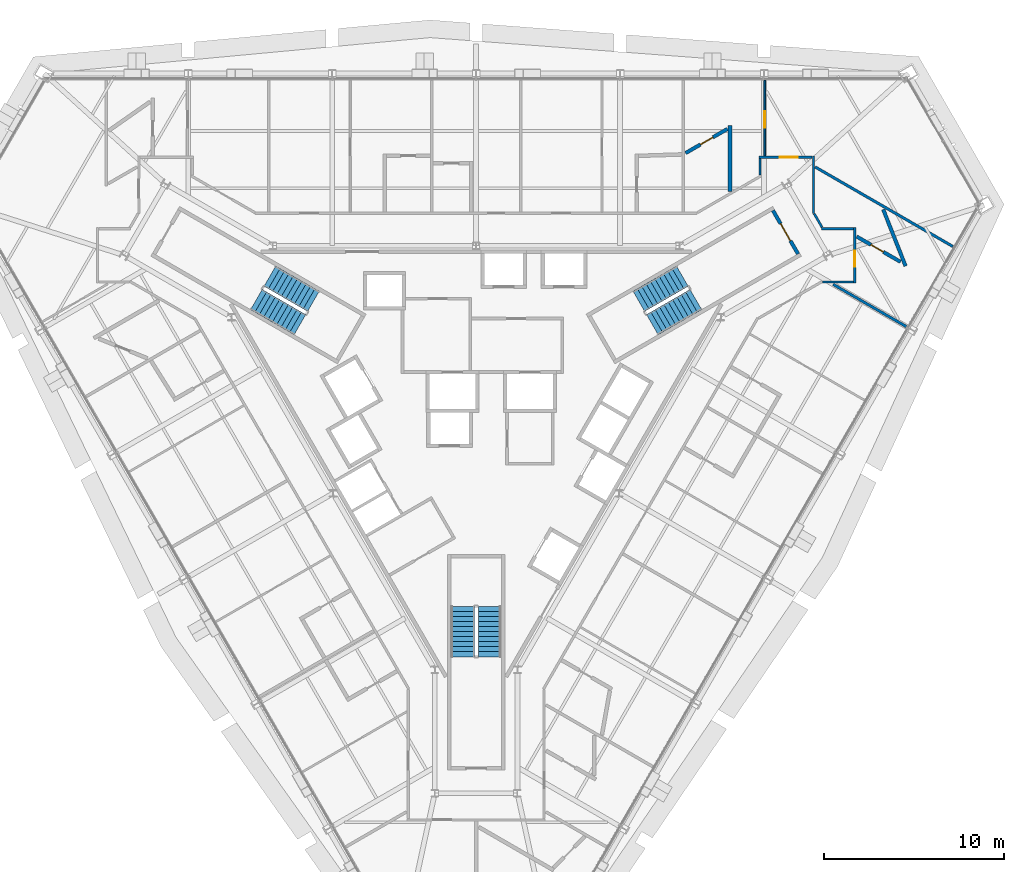
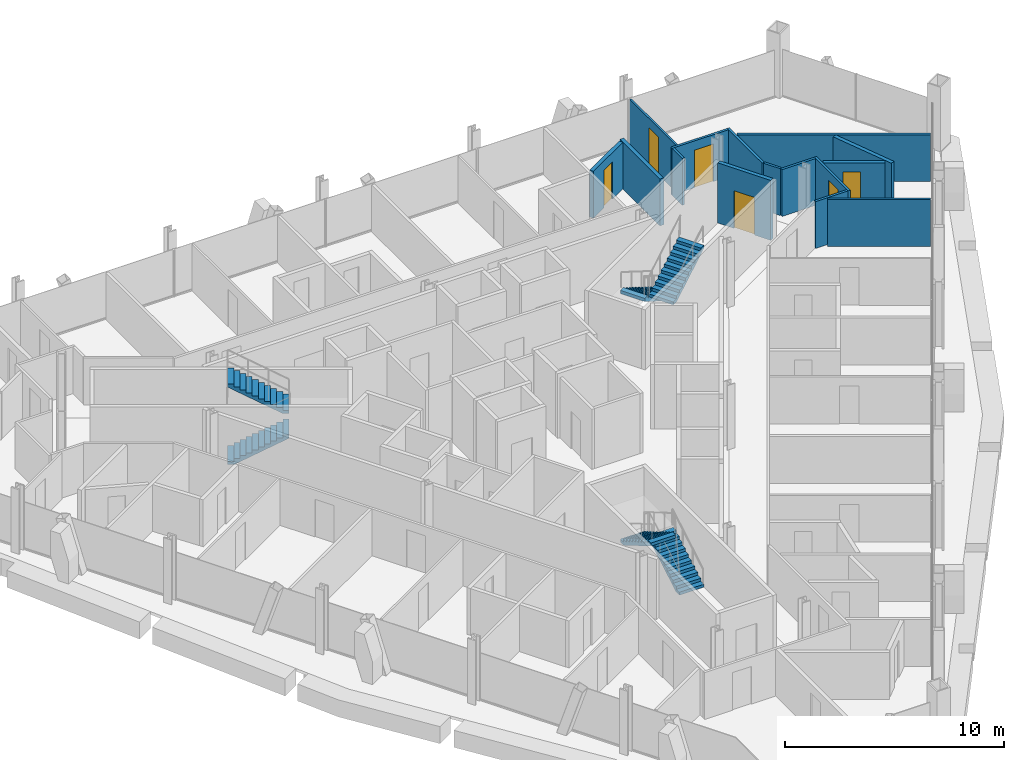
# One storey, part 14 of 16: 15 walls, 6 doors, 6 stair flights, 6 openings, 3 elements without a shape of their own.
"""IFC4 building model written with IfcOpenShell, lengths in metres."""

from ifc_helpers import new_model, si_unit, direction, frame, frame_2d, origin, place, context, subcontext, project, spatial, polyline, rectangle, outline, extrude, material, layer, layer_set, type_object, element, fill, aggregate, save


model = new_model("IFC4")

# Units and contexts
model_context = context("Model", 3, precision=1e-05, world=origin(), true_north=direction((0.0, 1.0)))
body_context = subcontext(model_context, "Body", "Model", "MODEL_VIEW")
ifc_project = project(units=[si_unit("LENGTHUNIT", "METRE"), si_unit("AREAUNIT", "SQUARE_METRE"), si_unit("VOLUMEUNIT", "CUBIC_METRE"), si_unit("PLANEANGLEUNIT", "RADIAN"), si_unit("MASSUNIT", "GRAM", prefix="KILO")], contexts=[model_context])

# Site, building, storey
site_placement = place(None, origin())
site = spatial("IfcSite", under=ifc_project, at=site_placement, CompositionType="ELEMENT")
building_placement = place(site_placement, origin())
building = spatial("IfcBuilding", under=site, at=building_placement, Name="Verrane Prism Tower", CompositionType="ELEMENT")
storey_placement = place(building_placement, frame((0.0, 0.0, 107.199951171875)))
storey = spatial("IfcBuildingStorey", under=building, at=storey_placement, Name="L25", CompositionType="ELEMENT", Elevation=107.199951171875)

# Wall, opening, door
ifc_material_1 = material(Name="Concrete C40/50", Category="concrete")
ifc_layer_1 = layer(ifc_material_1, 0.199951171875)
ifc_layer_set_1 = layer_set([ifc_layer_1], Name="CW-200 stair core wall concrete C40/50 3 h")
wall_type_1 = type_object("IfcWallType", Name="CW-200 stair core wall concrete C40/50 3 h", PredefinedType="PARTITIONING", material=ifc_layer_set_1)
wall_1_placement = place(storey_placement, frame((17.933837890625, 8.737548828125, 0.0), z_axis=(0.0, 0.0, 1.0), x_axis=(-0.49998411664, 0.866034573852, 0.0)))
wall_1 = element("IfcWall", 1, at=wall_1_placement, inside=storey, type_object=wall_type_1, Name="Stair 1 enclosure wall", PredefinedType="PARTITIONING", context=body_context, shape_type="SweptSolid", body=[
    extrude(rectangle(XDim=2.7998046875, YDim=0.199951171875, at=frame_2d((1.39990234375, 0.0))), origin(), (0.0, 0.0, 1.0), 3.35009765625),
])
opening_1_placement = place(wall_1_placement, frame((0.849853515625, 0.0, 0.0)))
opening_1 = element("IfcOpeningElement", 2, at=opening_1_placement, cuts=wall_1, Name="Opening D24500", PredefinedType="OPENING", context=body_context, shape_type="SweptSolid", body=[
    extrude(rectangle(XDim=1.10009765625, YDim=2.10009765625, at=frame_2d((0.550048828125, 1.050048828125))), frame((0.0, 0.10986328125, 0.0), z_axis=(0.0, -1.0, 0.0), x_axis=(1.0, 0.0, 0.0)), (0.0, 0.0, 1.0), 0.219970703125),
])
ifc_material_2 = material(Name="Timber veneered door leaf", Category="wood")
door_type_1 = type_object("IfcDoorType", Name="DR-1100x2100 FD90 single leaf stair", OperationType="NOTDEFINED", PredefinedType="DOOR", material=ifc_material_2)
door_1_placement = place(opening_1_placement, origin())
door_1 = element("IfcDoor", 3, at=door_1_placement, inside=storey, type_object=door_type_1, Name="Stair 1 door", OperationType="SINGLE_SWING_LEFT", OverallHeight=2.10009765625, OverallWidth=1.10009765625, PredefinedType="DOOR", context=body_context, shape_type="SweptSolid", body=[
    extrude(rectangle(XDim=1.10009765625, YDim=2.10009765625, at=frame_2d((0.550048828125, 1.050048828125))), frame((0.0, 0.02490234375, 0.0), z_axis=(0.0, -1.0, 0.0), x_axis=(1.0, 0.0, 0.0)), (0.0, 0.0, 1.0), 0.050048828125),
])
fill(opening_1, door_1)

ifc_material_3 = material(Name="Gypsum board partition", Category="other")
ifc_layer_2 = layer(ifc_material_3, 0.10009765625)
ifc_layer_set_2 = layer_set([ifc_layer_2], Name="PW-100 room partition")
wall_type_2 = type_object("IfcWallType", Name="PW-100 room partition", PredefinedType="PARTITIONING", material=ifc_layer_set_2)
wall_2_placement = place(storey_placement, frame((16.074951171875, 14.189453125, 0.0), z_axis=(0.0, 0.0, 1.0), x_axis=(0.0, 1.0, 0.0)))
wall_2 = element("IfcWall", 4, at=wall_2_placement, inside=storey, type_object=wall_type_2, Name="Room partition 073", PredefinedType="PARTITIONING", context=body_context, shape_type="SweptSolid", body=[
    extrude(rectangle(XDim=4.2255859375, YDim=0.10009765625, at=frame_2d((2.11279296875, 0.0))), origin(), (0.0, 0.0, 1.0), 2.613037109375),
])
opening_2_placement = place(wall_2_placement, frame((1.58740234375, 0.0, 0.0)))
opening_2 = element("IfcOpeningElement", 5, at=opening_2_placement, cuts=wall_2, Name="Opening D24015", PredefinedType="OPENING", context=body_context, shape_type="SweptSolid", body=[
    extrude(rectangle(XDim=0.89990234375, YDim=2.10009765625, at=frame_2d((0.449951171875, 1.050048828125))), frame((0.0, 0.06005859375, 0.0), z_axis=(0.0, -1.0, 0.0), x_axis=(1.0, 0.0, 0.0)), (0.0, 0.0, 1.0), 0.1201171875),
])
ifc_material_4 = material(Name="Timber veneered door leaf", Category="wood")
door_type_2 = type_object("IfcDoorType", Name="DR-900x2100 single leaf inner", OperationType="NOTDEFINED", PredefinedType="DOOR", material=ifc_material_4)
door_2_placement = place(opening_2_placement, origin())
door_2 = element("IfcDoor", 6, at=door_2_placement, inside=storey, type_object=door_type_2, Name="Suite Living Room door", OperationType="SINGLE_SWING_LEFT", OverallHeight=2.10009765625, OverallWidth=0.89990234375, PredefinedType="DOOR", context=body_context, shape_type="SweptSolid", body=[
    extrude(rectangle(XDim=0.89990234375, YDim=2.10009765625, at=frame_2d((0.449951171875, 1.050048828125))), frame((0.0, 0.02490234375, 0.0), z_axis=(0.0, -1.0, 0.0), x_axis=(1.0, 0.0, 0.0)), (0.0, 0.0, 1.0), 0.050048828125),
])
fill(opening_2, door_2)

# Wall
ifc_material_5 = material(Name="Gypsum board partition", Category="other")
ifc_layer_3 = layer(ifc_material_5, 0.125)
ifc_layer_set_3 = layer_set([ifc_layer_3], Name="PW-125 corridor wall 1 h")
wall_type_3 = type_object("IfcWallType", Name="PW-125 corridor wall 1 h", PredefinedType="PARTITIONING", material=ifc_layer_set_3)
wall_3_placement = place(storey_placement, frame((15.81298828125, 13.139892578125, 0.0), z_axis=(0.0, 0.0, 1.0), x_axis=(0.0, 1.0, 0.0)))
element("IfcWall", 7, at=wall_3_placement, inside=storey, type_object=wall_type_3, Name="Corridor wall 071", PredefinedType="PARTITIONING", context=body_context, shape_type="SweptSolid", body=[
    extrude(rectangle(XDim=0.922119140625, YDim=0.125, at=frame_2d((0.4609375, 0.0))), origin(), (0.0, 0.0, 1.0), 2.613037109375),
])

# Wall, opening, door
wall_4_placement = place(storey_placement, frame((15.75048828125, 14.126953125, 0.0), z_axis=(0.0, 0.0, 1.0), x_axis=(1.0, 0.0, 0.0)))
wall_4 = element("IfcWall", 8, at=wall_4_placement, inside=storey, type_object=wall_type_3, Name="Corridor wall 072", PredefinedType="PARTITIONING", context=body_context, shape_type="SweptSolid", body=[
    extrude(rectangle(XDim=2.971435546875, YDim=0.125, at=frame_2d((1.48583984375, 0.0))), origin(), (0.0, 0.0, 1.0), 2.613037109375),
])
opening_3_placement = place(wall_4_placement, frame((1.174560546875, 0.0, 0.0)))
opening_3 = element("IfcOpeningElement", 9, at=opening_3_placement, cuts=wall_4, Name="Opening D24014", PredefinedType="OPENING", context=body_context, shape_type="SweptSolid", body=[
    extrude(rectangle(XDim=1.0, YDim=2.10009765625, at=frame_2d((0.5, 1.050048828125))), frame((0.0, 0.072509765625, 0.0), z_axis=(0.0, -1.0, 0.0), x_axis=(1.0, 0.0, 0.0)), (0.0, 0.0, 1.0), 0.14501953125),
])
ifc_material_6 = material(Name="Timber veneered door leaf", Category="wood")
door_type_3 = type_object("IfcDoorType", Name="DR-1000x2100 FD20 single leaf unit", OperationType="NOTDEFINED", PredefinedType="DOOR", material=ifc_material_6)
door_3_placement = place(opening_3_placement, origin())
door_3 = element("IfcDoor", 10, at=door_3_placement, inside=storey, type_object=door_type_3, Name="Suite Living Room door", OperationType="SINGLE_SWING_RIGHT", OverallHeight=2.10009765625, OverallWidth=1.0, PredefinedType="DOOR", context=body_context, shape_type="SweptSolid", body=[
    extrude(rectangle(XDim=1.0, YDim=2.10009765625, at=frame_2d((0.5, 1.050048828125))), frame((0.0, 0.02490234375, 0.0), z_axis=(0.0, -1.0, 0.0), x_axis=(1.0, 0.0, 0.0)), (0.0, 0.0, 1.0), 0.050048828125),
])
fill(opening_3, door_3)

# Walls
wall_5_placement = place(storey_placement, frame((18.787109375, 10.99755859375, 0.0), z_axis=(0.0, 0.0, 1.0), x_axis=(0.0, 1.0, 0.0)))
element("IfcWall", 11, at=wall_5_placement, inside=storey, type_object=wall_type_3, Name="Corridor wall 074", PredefinedType="PARTITIONING", context=body_context, shape_type="SweptSolid", body=[
    extrude(rectangle(XDim=3.19189453125, YDim=0.125, at=frame_2d((1.595947265625, 0.0))), origin(), (0.0, 0.0, 1.0), 2.613037109375),
])
wall_6_placement = place(storey_placement, frame((18.82958984375, 10.986328125, 0.0), z_axis=(0.0, 0.0, 1.0), x_axis=(0.499881837328, -0.866093614288, 0.0)))
element("IfcWall", 12, at=wall_6_placement, inside=storey, type_object=wall_type_3, Name="Corridor wall 075", PredefinedType="PARTITIONING", context=body_context, shape_type="SweptSolid", body=[
    extrude(rectangle(XDim=0.884033203125, YDim=0.125, at=frame_2d((0.44189453125, 0.0))), origin(), (0.0, 0.0, 1.0), 2.613037109375),
])
wall_7_placement = place(storey_placement, frame((19.30908203125, 7.173095703125, 0.0), z_axis=(0.0, 0.0, 1.0), x_axis=(1.0, 0.0, 0.0)))
element("IfcWall", 13, at=wall_7_placement, inside=storey, type_object=wall_type_3, Name="Corridor wall 077", PredefinedType="PARTITIONING", context=body_context, shape_type="SweptSolid", body=[
    extrude(rectangle(XDim=1.712890625, YDim=0.125, at=frame_2d((0.8564453125, 0.0))), origin(), (0.0, 0.0, 1.0), 2.613037109375),
])
wall_8_placement = place(storey_placement, frame((19.25146484375, 10.14697265625, 0.0), z_axis=(0.0, 0.0, 1.0), x_axis=(1.0, 0.0, 0.0)))
element("IfcWall", 14, at=wall_8_placement, inside=storey, type_object=wall_type_3, Name="Corridor wall 078", PredefinedType="PARTITIONING", context=body_context, shape_type="SweptSolid", body=[
    extrude(rectangle(XDim=1.7705078125, YDim=0.125, at=frame_2d((0.88525390625, 0.0))), origin(), (0.0, 0.0, 1.0), 2.613037109375),
])

# Wall, opening, door
wall_9_placement = place(storey_placement, frame((21.0869140625, 10.20947265625, 0.0), z_axis=(0.0, 0.0, 1.0), x_axis=(0.0, -1.0, 0.0)))
wall_9 = element("IfcWall", 15, at=wall_9_placement, inside=storey, type_object=wall_type_3, Name="Corridor wall 080", PredefinedType="PARTITIONING", context=body_context, shape_type="SweptSolid", body=[
    extrude(rectangle(XDim=3.098876953125, YDim=0.125, at=frame_2d((1.54931640625, 0.0))), origin(), (0.0, 0.0, 1.0), 2.613037109375),
])
opening_4_placement = place(wall_9_placement, frame((1.28662109375, 0.0, 0.0)))
opening_4 = element("IfcOpeningElement", 16, at=opening_4_placement, cuts=wall_9, Name="Opening D24012", PredefinedType="OPENING", context=body_context, shape_type="SweptSolid", body=[
    extrude(rectangle(XDim=0.89990234375, YDim=2.10009765625, at=frame_2d((0.449951171875, 1.050048828125))), frame((0.0, 0.072509765625, 0.0), z_axis=(0.0, -1.0, 0.0), x_axis=(1.0, 0.0, 0.0)), (0.0, 0.0, 1.0), 0.14501953125),
])
ifc_material_7 = material(Name="Timber veneered door leaf", Category="wood")
door_type_4 = type_object("IfcDoorType", Name="DR-900x2100 FD20 single leaf unit", OperationType="NOTDEFINED", PredefinedType="DOOR", material=ifc_material_7)
door_4_placement = place(opening_4_placement, origin())
door_4 = element("IfcDoor", 17, at=door_4_placement, inside=storey, type_object=door_type_4, Name="Guest Room door", OperationType="SINGLE_SWING_LEFT", OverallHeight=2.10009765625, OverallWidth=0.89990234375, PredefinedType="DOOR", context=body_context, shape_type="SweptSolid", body=[
    extrude(rectangle(XDim=0.89990234375, YDim=2.10009765625, at=frame_2d((0.449951171875, 1.050048828125))), frame((0.0, 0.02490234375, 0.0), z_axis=(0.0, -1.0, 0.0), x_axis=(1.0, 0.0, 0.0)), (0.0, 0.0, 1.0), 0.050048828125),
])
fill(opening_4, door_4)

# Walls
ifc_material_8 = material(Name="Gypsum board partition", Category="other")
ifc_layer_4 = layer(ifc_material_8, 0.14990234375)
ifc_layer_set_4 = layer_set([ifc_layer_4], Name="PW-150 demising wall 1 h")
wall_type_4 = type_object("IfcWallType", Name="PW-150 demising wall 1 h", PredefinedType="PARTITIONING", material=ifc_layer_set_4)
wall_10_placement = place(storey_placement, frame((18.886962890625, 13.584228515625, 0.0), z_axis=(0.0, 0.0, 1.0), x_axis=(0.866024349092, -0.500001826776, 0.0)))
element("IfcWall", 18, at=wall_10_placement, inside=storey, type_object=wall_type_4, Name="Demising wall 076", PredefinedType="PARTITIONING", context=body_context, shape_type="SweptSolid", body=[
    extrude(rectangle(XDim=8.8505859375, YDim=0.14990234375, at=frame_2d((4.42529296875, 0.0))), origin(), (0.0, 0.0, 1.0), 2.613037109375),
])
wall_11_placement = place(storey_placement, frame((19.888671875, 7.045654296875, 0.0), z_axis=(0.0, 0.0, 1.0), x_axis=(0.865929380849, -0.500166279733, 0.0)))
element("IfcWall", 19, at=wall_11_placement, inside=storey, type_object=wall_type_4, Name="Demising wall 079", PredefinedType="PARTITIONING", context=body_context, shape_type="SweptSolid", body=[
    extrude(rectangle(XDim=4.7138671875, YDim=0.14990234375, at=frame_2d((2.35693359375, 0.0))), origin(), (0.0, 0.0, 1.0), 2.613037109375),
])

# Wall, opening, door
ifc_material_9 = material(Name="Gypsum board partition", Category="other")
ifc_layer_5 = layer(ifc_material_9, 0.199951171875)
ifc_layer_set_5 = layer_set([ifc_layer_5], Name="PW-200 plumbing wall")
wall_type_5 = type_object("IfcWallType", Name="PW-200 plumbing wall", PredefinedType="PARTITIONING", material=ifc_layer_set_5)
wall_12_placement = place(storey_placement, frame((13.996826171875, 15.701904296875, 0.0), z_axis=(0.0, 0.0, 1.0), x_axis=(-0.866066100916, -0.499929503874, 0.0)))
wall_12 = element("IfcWall", 20, at=wall_12_placement, inside=storey, type_object=wall_type_5, Name="Plumbing wall 062", PredefinedType="PARTITIONING", context=body_context, shape_type="SweptSolid", body=[
    extrude(rectangle(XDim=2.68798828125, YDim=0.199951171875, at=frame_2d((1.343994140625, 0.0))), origin(), (0.0, 0.0, 1.0), 2.613037109375),
])
opening_5_placement = place(wall_12_placement, frame((0.93212890625, 0.0, 0.0)))
opening_5 = element("IfcOpeningElement", 21, at=opening_5_placement, cuts=wall_12, Name="Opening D24016", PredefinedType="OPENING", context=body_context, shape_type="SweptSolid", body=[
    extrude(rectangle(XDim=0.800048828125, YDim=2.10009765625, at=frame_2d((0.39990234375, 1.050048828125))), frame((0.0, 0.10986328125, 0.0), z_axis=(0.0, -1.0, 0.0), x_axis=(1.0, 0.0, 0.0)), (0.0, 0.0, 1.0), 0.219970703125),
])
ifc_material_10 = material(Name="Timber veneered door leaf", Category="wood")
door_type_5 = type_object("IfcDoorType", Name="DR-800x2100 single leaf bath", OperationType="NOTDEFINED", PredefinedType="DOOR", material=ifc_material_10)
door_5_placement = place(opening_5_placement, origin())
door_5 = element("IfcDoor", 22, at=door_5_placement, inside=storey, type_object=door_type_5, Name="En-Suite door", OperationType="SINGLE_SWING_LEFT", OverallHeight=2.10009765625, OverallWidth=0.800048828125, PredefinedType="DOOR", context=body_context, shape_type="SweptSolid", body=[
    extrude(rectangle(XDim=0.800048828125, YDim=2.10009765625, at=frame_2d((0.39990234375, 1.050048828125))), frame((0.0, 0.02490234375, 0.0), z_axis=(0.0, -1.0, 0.0), x_axis=(1.0, 0.0, 0.0)), (0.0, 0.0, 1.0), 0.050048828125),
])
fill(opening_5, door_5)

# Wall
wall_13_placement = place(storey_placement, frame((14.14404296875, 12.221923828125, 0.0), z_axis=(0.0, 0.0, 1.0), x_axis=(0.0, 1.0, 0.0)))
element("IfcWall", 23, at=wall_13_placement, inside=storey, type_object=wall_type_5, Name="Plumbing wall 066", PredefinedType="PARTITIONING", context=body_context, shape_type="SweptSolid", body=[
    extrude(rectangle(XDim=3.6650390625, YDim=0.199951171875, at=frame_2d((1.83251953125, 0.0))), origin(), (0.0, 0.0, 1.0), 2.613037109375),
])

# Wall, opening, door
wall_14_placement = place(storey_placement, frame((21.199462890625, 9.7080078125, 0.0), z_axis=(0.0, 0.0, 1.0), x_axis=(0.866129327763, -0.499819955173, 0.0)))
wall_14 = element("IfcWall", 24, at=wall_14_placement, inside=storey, type_object=wall_type_5, Name="Plumbing wall 081", PredefinedType="PARTITIONING", context=body_context, shape_type="SweptSolid", body=[
    extrude(rectangle(XDim=2.81787109375, YDim=0.199951171875, at=frame_2d((1.408935546875, 0.0))), origin(), (0.0, 0.0, 1.0), 2.613037109375),
])
opening_6_placement = place(wall_14_placement, frame((0.920166015625, 0.0, 0.0)))
opening_6 = element("IfcOpeningElement", 25, at=opening_6_placement, cuts=wall_14, Name="Opening D24013", PredefinedType="OPENING", context=body_context, shape_type="SweptSolid", body=[
    extrude(rectangle(XDim=0.800048828125, YDim=2.10009765625, at=frame_2d((0.39990234375, 1.050048828125))), frame((0.0, 0.10986328125, 0.0), z_axis=(0.0, -1.0, 0.0), x_axis=(1.0, 0.0, 0.0)), (0.0, 0.0, 1.0), 0.219970703125),
])
door_6_placement = place(opening_6_placement, origin())
door_6 = element("IfcDoor", 26, at=door_6_placement, inside=storey, type_object=door_type_5, Name="En-Suite door", OperationType="SINGLE_SWING_LEFT", OverallHeight=2.10009765625, OverallWidth=0.800048828125, PredefinedType="DOOR", context=body_context, shape_type="SweptSolid", body=[
    extrude(rectangle(XDim=0.800048828125, YDim=2.10009765625, at=frame_2d((0.39990234375, 1.050048828125))), frame((0.0, 0.02490234375, 0.0), z_axis=(0.0, -1.0, 0.0), x_axis=(1.0, 0.0, 0.0)), (0.0, 0.0, 1.0), 0.050048828125),
])
fill(opening_6, door_6)

# Wall
wall_15_placement = place(storey_placement, frame((22.6767578125, 11.2197265625, 0.0), z_axis=(0.0, 0.0, 1.0), x_axis=(0.36751707294, -0.930016774632, 0.0)))
element("IfcWall", 27, at=wall_15_placement, inside=storey, type_object=wall_type_5, Name="Plumbing wall 082", PredefinedType="PARTITIONING", context=body_context, shape_type="SweptSolid", body=[
    extrude(rectangle(XDim=3.393310546875, YDim=0.199951171875, at=frame_2d((1.69677734375, 0.0))), origin(), (0.0, 0.0, 1.0), 2.613037109375),
])

# Stair, stair flights
ifc_material_11 = material(Name="Concrete C40/50", Category="concrete")
stair_type = type_object("IfcStairType", Name="Exit stair 1300 dog-leg precast concrete C40/50", PredefinedType="HALF_TURN_STAIR", material=ifc_material_11)
stair_1_placement = place(storey_placement, origin())
stair_1 = element("IfcStair", 28, at=stair_1_placement, inside=storey, type_object=stair_type, Name="Stair 1 L25", PredefinedType="HALF_TURN_STAIR")
ifc_material_12 = material(Name="Concrete C40/50", Category="concrete")
stair_flight_type = type_object("IfcStairFlightType", Name="Stair flight 1300 precast concrete C40/50", PredefinedType="STRAIGHT", material=ifc_material_12)
stair_flight_1_placement = place(storey_placement, frame((11.489501953125, 7.49951171875, 0.0), z_axis=(0.0, 0.0, 1.0), x_axis=(-0.866025403784, -0.5, 0.0)))
stair_flight_1 = element("IfcStairFlight", 29, at=stair_flight_1_placement, type_object=stair_flight_type, Name="Stair 1 flight 1", NumberOfRisers=11, NumberOfTreads=10, PredefinedType="STRAIGHT", RiserHeight=0.163636364, TreadLength=0.28, context=body_context, shape_type="SweptSolid", body=[
    extrude(outline(polyline([(0.0, 0.0), (0.0, 0.16357421875), (0.280029296875, 0.16357421875), (0.280029296875, 0.327392578125), (0.56005859375, 0.327392578125), (0.56005859375, 0.490966796875), (0.840087890625, 0.490966796875), (0.840087890625, 0.654541015625), (1.1201171875, 0.654541015625), (1.1201171875, 0.818115234375), (1.39990234375, 0.818115234375), (1.39990234375, 0.98193359375), (1.679931640625, 0.98193359375), (1.679931640625, 1.1455078125), (1.9599609375, 1.1455078125), (1.9599609375, 1.30908203125), (2.239990234375, 1.30908203125), (2.239990234375, 1.47265625), (2.52001953125, 1.47265625), (2.52001953125, 1.636474609375), (2.800048828125, 1.636474609375), (2.800048828125, 1.800048828125), (2.800048828125, 1.462646484375), (0.297119140625, 0.0), (0.0, 0.0)])), frame((0.0, 0.64990234375, 0.0), z_axis=(0.0, -1.0, 0.0), x_axis=(1.0, 0.0, 0.0)), (0.0, 0.0, 1.0), 1.300048828125),
])
stair_flight_2_placement = place(storey_placement, frame((9.814697265625, 4.800537109375, 1.800048828125), z_axis=(0.0, 0.0, 1.0), x_axis=(0.866025403784, 0.5, 0.0)))
stair_flight_2 = element("IfcStairFlight", 30, at=stair_flight_2_placement, type_object=stair_flight_type, Name="Stair 1 flight 2", NumberOfRisers=11, NumberOfTreads=10, PredefinedType="STRAIGHT", RiserHeight=0.163636364, TreadLength=0.28, context=body_context, shape_type="SweptSolid", body=[
    extrude(outline(polyline([(0.0, 0.0), (0.0, 0.16357421875), (0.280029296875, 0.16357421875), (0.280029296875, 0.327392578125), (0.56005859375, 0.327392578125), (0.56005859375, 0.490966796875), (0.840087890625, 0.490966796875), (0.840087890625, 0.654541015625), (1.1201171875, 0.654541015625), (1.1201171875, 0.818115234375), (1.39990234375, 0.818115234375), (1.39990234375, 0.98193359375), (1.679931640625, 0.98193359375), (1.679931640625, 1.1455078125), (1.9599609375, 1.1455078125), (1.9599609375, 1.30908203125), (2.239990234375, 1.30908203125), (2.239990234375, 1.47265625), (2.52001953125, 1.47265625), (2.52001953125, 1.636474609375), (2.800048828125, 1.636474609375), (2.800048828125, 1.800048828125), (2.800048828125, 1.462646484375), (0.297119140625, 0.0), (0.0, 0.0)])), frame((0.0, 0.64990234375, 0.0), z_axis=(0.0, -1.0, 0.0), x_axis=(1.0, 0.0, 0.0)), (0.0, 0.0, 1.0), 1.300048828125),
])
aggregate(stair_1, [stair_flight_1, stair_flight_2])

stair_2_placement = place(storey_placement, origin())
stair_2 = element("IfcStair", 31, at=stair_2_placement, inside=storey, type_object=stair_type, Name="Stair 2 L25", PredefinedType="HALF_TURN_STAIR")
stair_flight_3_placement = place(storey_placement, frame((-12.239501953125, 6.200439453125, 0.0), z_axis=(0.0, 0.0, 1.0), x_axis=(0.866025403784, -0.5, 0.0)))
stair_flight_3 = element("IfcStairFlight", 32, at=stair_flight_3_placement, type_object=stair_flight_type, Name="Stair 2 flight 1", NumberOfRisers=11, NumberOfTreads=10, PredefinedType="STRAIGHT", RiserHeight=0.163636364, TreadLength=0.28, context=body_context, shape_type="SweptSolid", body=[
    extrude(outline(polyline([(0.0, 0.0), (0.0, 0.16357421875), (0.280029296875, 0.16357421875), (0.280029296875, 0.327392578125), (0.56005859375, 0.327392578125), (0.56005859375, 0.490966796875), (0.840087890625, 0.490966796875), (0.840087890625, 0.654541015625), (1.1201171875, 0.654541015625), (1.1201171875, 0.818115234375), (1.39990234375, 0.818115234375), (1.39990234375, 0.98193359375), (1.679931640625, 0.98193359375), (1.679931640625, 1.1455078125), (1.9599609375, 1.1455078125), (1.9599609375, 1.30908203125), (2.239990234375, 1.30908203125), (2.239990234375, 1.47265625), (2.52001953125, 1.47265625), (2.52001953125, 1.636474609375), (2.800048828125, 1.636474609375), (2.800048828125, 1.800048828125), (2.800048828125, 1.462646484375), (0.297119140625, 0.0), (0.0, 0.0)])), frame((0.0, 0.64990234375, 0.0), z_axis=(0.0, -1.0, 0.0), x_axis=(1.0, 0.0, 0.0)), (0.0, 0.0, 1.0), 1.300048828125),
])
stair_flight_4_placement = place(storey_placement, frame((-9.064697265625, 6.099609375, 1.800048828125), z_axis=(0.0, 0.0, 1.0), x_axis=(-0.866025403784, 0.5, 0.0)))
stair_flight_4 = element("IfcStairFlight", 33, at=stair_flight_4_placement, type_object=stair_flight_type, Name="Stair 2 flight 2", NumberOfRisers=11, NumberOfTreads=10, PredefinedType="STRAIGHT", RiserHeight=0.163636364, TreadLength=0.28, context=body_context, shape_type="SweptSolid", body=[
    extrude(outline(polyline([(0.0, 0.0), (0.0, 0.16357421875), (0.280029296875, 0.16357421875), (0.280029296875, 0.327392578125), (0.56005859375, 0.327392578125), (0.56005859375, 0.490966796875), (0.840087890625, 0.490966796875), (0.840087890625, 0.654541015625), (1.1201171875, 0.654541015625), (1.1201171875, 0.818115234375), (1.39990234375, 0.818115234375), (1.39990234375, 0.98193359375), (1.679931640625, 0.98193359375), (1.679931640625, 1.1455078125), (1.9599609375, 1.1455078125), (1.9599609375, 1.30908203125), (2.239990234375, 1.30908203125), (2.239990234375, 1.47265625), (2.52001953125, 1.47265625), (2.52001953125, 1.636474609375), (2.800048828125, 1.636474609375), (2.800048828125, 1.800048828125), (2.800048828125, 1.462646484375), (0.297119140625, 0.0), (0.0, 0.0)])), frame((0.0, 0.64990234375, 0.0), z_axis=(0.0, -1.0, 0.0), x_axis=(1.0, 0.0, 0.0)), (0.0, 0.0, 1.0), 1.300048828125),
])
aggregate(stair_2, [stair_flight_3, stair_flight_4])

stair_3_placement = place(storey_placement, origin())
stair_3 = element("IfcStair", 34, at=stair_3_placement, inside=storey, type_object=stair_type, Name="Stair 3 L25", PredefinedType="HALF_TURN_STAIR")
stair_flight_5_placement = place(storey_placement, frame((0.75, -13.699951171875, 0.0), z_axis=(0.0, 0.0, 1.0), x_axis=(0.0, 1.0, 0.0)))
stair_flight_5 = element("IfcStairFlight", 35, at=stair_flight_5_placement, type_object=stair_flight_type, Name="Stair 3 flight 1", NumberOfRisers=11, NumberOfTreads=10, PredefinedType="STRAIGHT", RiserHeight=0.163636364, TreadLength=0.28, context=body_context, shape_type="SweptSolid", body=[
    extrude(outline(polyline([(0.0, 0.0), (0.0, 0.16357421875), (0.280029296875, 0.16357421875), (0.280029296875, 0.327392578125), (0.56005859375, 0.327392578125), (0.56005859375, 0.490966796875), (0.840087890625, 0.490966796875), (0.840087890625, 0.654541015625), (1.1201171875, 0.654541015625), (1.1201171875, 0.818115234375), (1.39990234375, 0.818115234375), (1.39990234375, 0.98193359375), (1.679931640625, 0.98193359375), (1.679931640625, 1.1455078125), (1.9599609375, 1.1455078125), (1.9599609375, 1.30908203125), (2.239990234375, 1.30908203125), (2.239990234375, 1.47265625), (2.52001953125, 1.47265625), (2.52001953125, 1.636474609375), (2.800048828125, 1.636474609375), (2.800048828125, 1.800048828125), (2.800048828125, 1.462646484375), (0.297119140625, 0.0), (0.0, 0.0)])), frame((0.0, 0.64990234375, 0.0), z_axis=(0.0, -1.0, 0.0), x_axis=(1.0, 0.0, 0.0)), (0.0, 0.0, 1.0), 1.300048828125),
])
stair_flight_6_placement = place(storey_placement, frame((-0.75, -10.89990234375, 1.800048828125), z_axis=(0.0, 0.0, 1.0), x_axis=(0.0, -1.0, 0.0)))
stair_flight_6 = element("IfcStairFlight", 36, at=stair_flight_6_placement, type_object=stair_flight_type, Name="Stair 3 flight 2", NumberOfRisers=11, NumberOfTreads=10, PredefinedType="STRAIGHT", RiserHeight=0.163636364, TreadLength=0.28, context=body_context, shape_type="SweptSolid", body=[
    extrude(outline(polyline([(0.0, 0.0), (0.0, 0.16357421875), (0.280029296875, 0.16357421875), (0.280029296875, 0.327392578125), (0.56005859375, 0.327392578125), (0.56005859375, 0.490966796875), (0.840087890625, 0.490966796875), (0.840087890625, 0.654541015625), (1.1201171875, 0.654541015625), (1.1201171875, 0.818115234375), (1.39990234375, 0.818115234375), (1.39990234375, 0.98193359375), (1.679931640625, 0.98193359375), (1.679931640625, 1.1455078125), (1.9599609375, 1.1455078125), (1.9599609375, 1.30908203125), (2.239990234375, 1.30908203125), (2.239990234375, 1.47265625), (2.52001953125, 1.47265625), (2.52001953125, 1.636474609375), (2.800048828125, 1.636474609375), (2.800048828125, 1.800048828125), (2.800048828125, 1.462646484375), (0.297119140625, 0.0), (0.0, 0.0)])), frame((0.0, 0.64990234375, 0.0), z_axis=(0.0, -1.0, 0.0), x_axis=(1.0, 0.0, 0.0)), (0.0, 0.0, 1.0), 1.300048828125),
])
aggregate(stair_3, [stair_flight_5, stair_flight_6])

save(model, "model.ifc")
